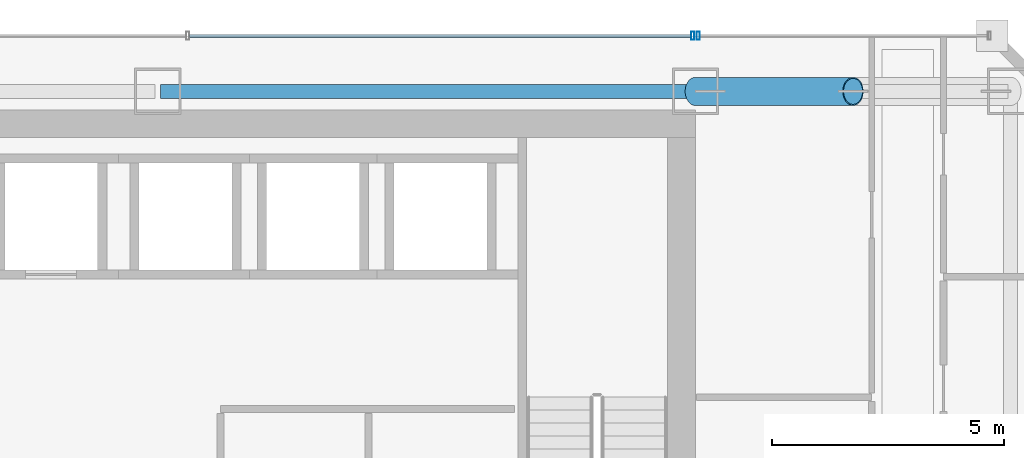
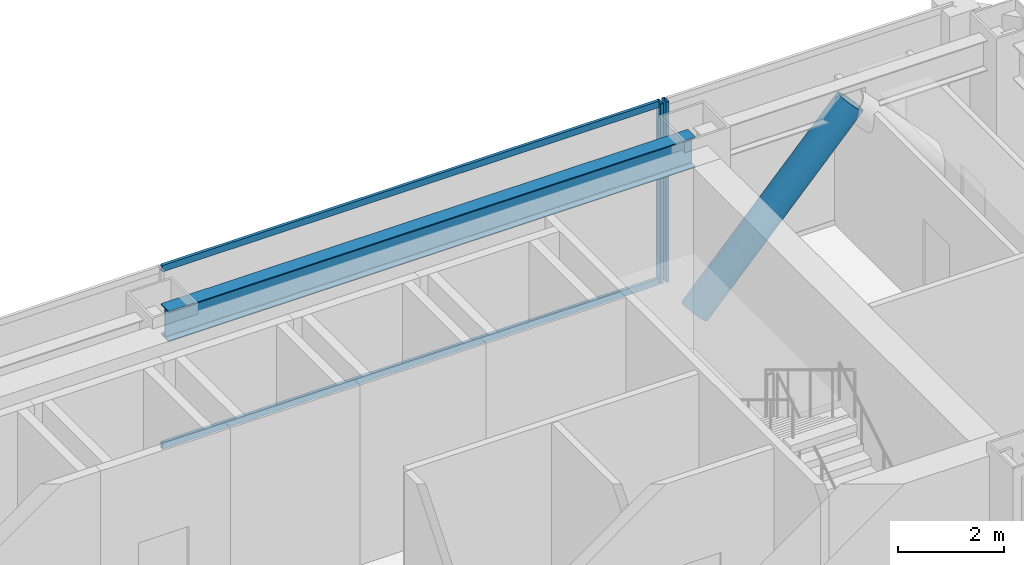
# One storey, part 24 of 35: 5 members, 1 beam, 2 elements without a shape of their own.
"""IFC4 building model written with IfcOpenShell, lengths in metres."""

from ifc_helpers import new_model, si_unit, direction, frame, origin, origin_2d, place, context, subcontext, project, spatial, hollow_rectangle, hollow_circle, i_section, extrude, material, material_profile, profile_set, type_object, element, aggregate, save


model = new_model("IFC4")

# Units and contexts
model_context = context("Model", 3, precision=1e-05, world=origin(), true_north=direction((0.0, 1.0)))
body_context = subcontext(model_context, "Body", "Model", "MODEL_VIEW")
ifc_project = project(units=[si_unit("LENGTHUNIT", "METRE"), si_unit("AREAUNIT", "SQUARE_METRE"), si_unit("VOLUMEUNIT", "CUBIC_METRE"), si_unit("PLANEANGLEUNIT", "RADIAN"), si_unit("MASSUNIT", "GRAM", prefix="KILO")], contexts=[model_context])

# Site, building, storey
site_placement = place(None, origin())
site = spatial("IfcSite", under=ifc_project, at=site_placement, CompositionType="ELEMENT")
building_placement = place(site_placement, origin())
building = spatial("IfcBuilding", under=site, at=building_placement, Name="Saevonmaru Cultural Tower", CompositionType="ELEMENT")
storey_placement = place(building_placement, frame((0.0, 0.0, 101.60009765625)))
storey = spatial("IfcBuildingStorey", under=building, at=storey_placement, Name="L21", CompositionType="ELEMENT", Elevation=101.60009765625)

# Beam
ifc_material_1 = material(Name="Steel SM355", Category="steel")
ifc_material_profile_1 = material_profile(ifc_material_1, i_section(OverallWidth=0.300048828125, OverallDepth=0.699951171875, WebThickness=0.012939453125, FlangeThickness=0.02392578125, FilletRadius=0.02587890625, at=origin_2d()), Name="H-700x300x13x24")
ifc_profile_set_1 = profile_set([ifc_material_profile_1], Name="Steel SM355")
beam_type = type_object("IfcBeamType", Name="BM-SP-H700", PredefinedType="SPANDREL", material=ifc_profile_set_1)
beam_placement = place(storey_placement, frame((34.860107421875, 54.800048828125, 3.7998046875), z_axis=(1.0, 0.0, 0.0), x_axis=(0.0, 1.0, 0.0)))
element("IfcBeam", 1, at=beam_placement, inside=storey, type_object=beam_type, Name="L21 North Spine Girder 4", PredefinedType="SPANDREL", context=body_context, shape_type="SweptSolid", body=[
    extrude(i_section(OverallWidth=0.300048828125, OverallDepth=0.699951171875, WebThickness=0.012939453125, FlangeThickness=0.02392578125, FilletRadius=0.02587890625, at=origin_2d()), origin(), (0.0, 0.0, 1.0), 11.47998046875),
])

# Member
ifc_material_2 = material(Name="Steel HSA600 (600 MPa)", Category="steel")
ifc_material_profile_2 = material_profile(ifc_material_2, hollow_circle(Radius=0.3046875, WallThickness=0.02490234375, at=origin_2d()), Name="CHS-609.6x25")
ifc_profile_set_2 = profile_set([ifc_material_profile_2], Name="Steel HSA600 (600 MPa)")
member_type_1 = type_object("IfcMemberType", Name="MB-PBR-CHS610", PredefinedType="BRACE", material=ifc_profile_set_2)
member_1_placement = place(storey_placement, frame((46.39990234375, 54.800048828125, 0.02001953125), z_axis=(0.681629141635, 0.0, 0.731697829212), x_axis=(0.0, 1.0, 0.0)))
element("IfcMember", 2, at=member_1_placement, inside=storey, type_object=member_type_1, Name="L21 Perimeter Braced-Tube Diagonal EN1", PredefinedType="BRACE", context=body_context, shape_type="SweptSolid", body=[
    extrude(hollow_circle(Radius=0.3046875, WallThickness=0.02490234375, at=origin_2d()), origin(), (0.0, 0.0, 1.0), 4.98828125),
])

# Curtain wall, member
ifc_material_3 = material(Name="Satin Bronze Anodised Aluminium", Category="aluminium")
curtain_wall_type = type_object("IfcCurtainWallType", Name="CW-TYP-A", PredefinedType="NOTDEFINED", material=ifc_material_3)
curtain_wall_1_placement = place(storey_placement, origin())
curtain_wall_1 = element("IfcCurtainWall", 3, at=curtain_wall_1_placement, inside=storey, type_object=curtain_wall_type, Name="L21 East Braced Bay Spandrel Curtain Wall E10A", PredefinedType="NOTDEFINED")
ifc_material_profile_3 = material_profile(ifc_material_3, hollow_rectangle(XDim=0.06494140625, YDim=0.179931640625, WallThickness=0.00390625, at=origin_2d()), Name="ALU-MULL-180x65x4")
ifc_profile_set_3 = profile_set([ifc_material_profile_3], Name="Satin Bronze Anodised Aluminium")
member_type_2 = type_object("IfcMemberType", Name="ML-CW-180x65", PredefinedType="MULLION", material=ifc_profile_set_3)
member_2_placement = place(storey_placement, frame((46.4599609375, 56.0, 0.0), z_axis=(0.0, 0.0, 1.0), x_axis=(-1.0, 0.0, 0.0)))
member_2 = element("IfcMember", 4, at=member_2_placement, type_object=member_type_2, Name="CW-TW-L21-E10A mullion 2", PredefinedType="MULLION", context=body_context, shape_type="SweptSolid", body=[
    extrude(hollow_rectangle(XDim=0.06494140625, YDim=0.179931640625, WallThickness=0.00390625, at=origin_2d()), origin(), (0.0, 0.0, 1.0), 4.14990234375),
])
aggregate(curtain_wall_1, [member_2])

# Curtain wall, members
curtain_wall_2_placement = place(storey_placement, origin())
curtain_wall_2 = element("IfcCurtainWall", 5, at=curtain_wall_2_placement, inside=storey, type_object=curtain_wall_type, Name="L21 North Spine Unitised Curtain Wall E10B", PredefinedType="NOTDEFINED")
member_3_placement = place(storey_placement, frame((46.340087890625, 56.0, 0.0), z_axis=(0.0, 0.0, 1.0), x_axis=(-1.0, 0.0, 0.0)))
member_3 = element("IfcMember", 6, at=member_3_placement, type_object=member_type_2, Name="CW-TW-L21-E10B mullion 1", PredefinedType="MULLION", context=body_context, shape_type="SweptSolid", body=[
    extrude(hollow_rectangle(XDim=0.06494140625, YDim=0.179931640625, WallThickness=0.00390625, at=origin_2d()), origin(), (0.0, 0.0, 1.0), 4.14990234375),
])
ifc_material_profile_4 = material_profile(ifc_material_3, hollow_rectangle(XDim=0.06494140625, YDim=0.14990234375, WallThickness=0.00390625, at=origin_2d()), Name="ALU-TRAN-150x65x4")
ifc_profile_set_4 = profile_set([ifc_material_profile_4], Name="Satin Bronze Anodised Aluminium")
member_type_3 = type_object("IfcMemberType", Name="TR-CW-150x65", PredefinedType="USERDEFINED", material=ifc_profile_set_4)
member_4_placement = place(storey_placement, frame((46.3076171875, 56.0, 0.032470703125), z_axis=(-1.0, 0.0, 0.0), x_axis=(0.0, -1.0, 0.0)))
member_4 = element("IfcMember", 7, at=member_4_placement, type_object=member_type_3, Name="CW-TW-L21-E10B transom 1.1", ObjectType="TRANSOM", PredefinedType="USERDEFINED", context=body_context, shape_type="SweptSolid", body=[
    extrude(hollow_rectangle(XDim=0.06494140625, YDim=0.14990234375, WallThickness=0.00390625, at=origin_2d()), origin(), (0.0, 0.0, 1.0), 10.828369140625),
])
member_5_placement = place(storey_placement, frame((46.3076171875, 56.0, 4.117431640625), z_axis=(-1.0, 0.0, 0.0), x_axis=(0.0, -1.0, 0.0)))
member_5 = element("IfcMember", 8, at=member_5_placement, type_object=member_type_3, Name="CW-TW-L21-E10B transom 1.2", ObjectType="TRANSOM", PredefinedType="USERDEFINED", context=body_context, shape_type="SweptSolid", body=[
    extrude(hollow_rectangle(XDim=0.06494140625, YDim=0.14990234375, WallThickness=0.00390625, at=origin_2d()), origin(), (0.0, 0.0, 1.0), 10.828369140625),
])
aggregate(curtain_wall_2, [member_3, member_4, member_5])

save(model, "model.ifc")
